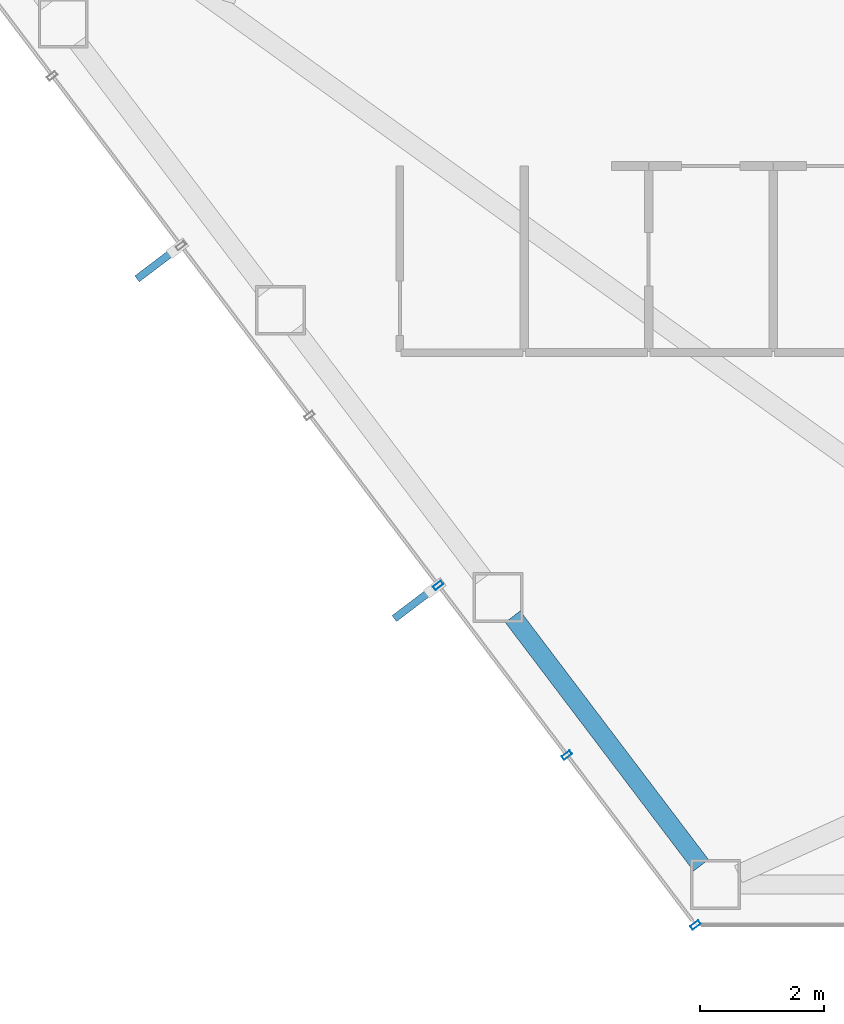
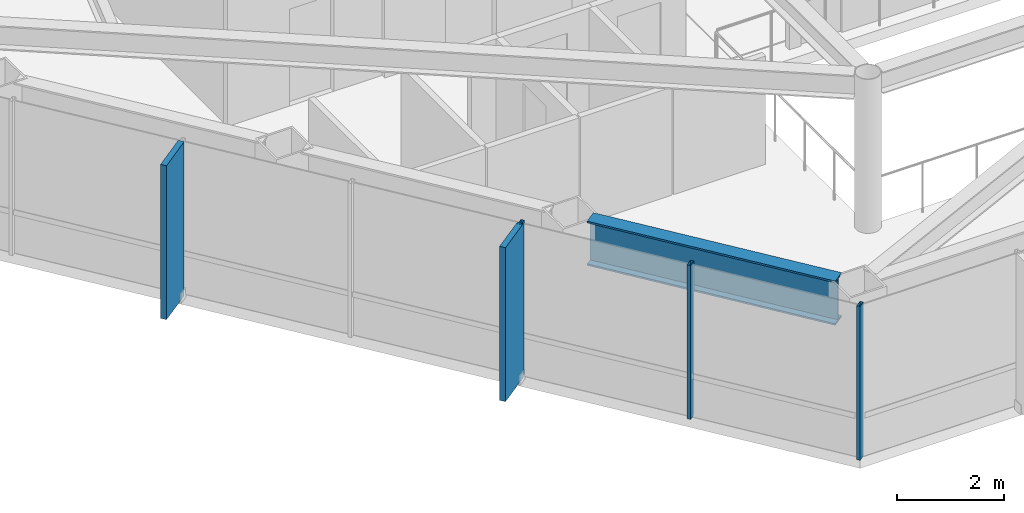
# One storey, part 2 of 29: 5 members, 1 beam, 1 element without a shape of its own.
"""IFC4 building model written with IfcOpenShell, lengths in metres."""

from ifc_helpers import new_model, si_unit, direction, frame, origin, origin_2d, place, context, subcontext, project, spatial, rectangle, hollow_rectangle, i_section, extrude, material, layer, layer_set, material_profile, profile_set, type_object, element, aggregate, save


model = new_model("IFC4")

# Units and contexts
model_context = context("Model", 3, precision=1e-05, world=origin(), true_north=direction((0.0, 1.0)))
body_context = subcontext(model_context, "Body", "Model", "MODEL_VIEW")
ifc_project = project(units=[si_unit("LENGTHUNIT", "METRE"), si_unit("AREAUNIT", "SQUARE_METRE"), si_unit("VOLUMEUNIT", "CUBIC_METRE"), si_unit("PLANEANGLEUNIT", "RADIAN"), si_unit("MASSUNIT", "GRAM", prefix="KILO")], contexts=[model_context])

# Site, building, storey
site_placement = place(None, origin())
site = spatial("IfcSite", under=ifc_project, at=site_placement, CompositionType="ELEMENT")
building_placement = place(site_placement, origin())
building = spatial("IfcBuilding", under=site, at=building_placement, Name="Zarrinselat Tower", CompositionType="ELEMENT")
storey_placement = place(building_placement, frame((0.0, 0.0, 134.639892578125)))
storey = spatial("IfcBuildingStorey", under=building, at=storey_placement, Name="L32", CompositionType="ELEMENT", Elevation=134.639892578125)

# Beam
ifc_material_1 = material(Name="Steel S460M", Category="steel")
ifc_material_profile_1 = material_profile(ifc_material_1, i_section(OverallWidth=0.302001953125, OverallDepth=1.008056640625, WebThickness=0.02099609375, FlangeThickness=0.0400390625, at=origin_2d()), Name="HEM 1000")
ifc_profile_set_1 = profile_set([ifc_material_profile_1], Name="Steel S460M")
beam_type = type_object("IfcBeamType", Name="BM-HEM1000", PredefinedType="BEAM", material=ifc_profile_set_1)
beam_placement = place(storey_placement, frame((26.96337890625, 22.902587890625, 2.99609375), z_axis=(0.603840817035, -0.797104928904, 0.0), x_axis=(0.797104928904, 0.603840817035, 0.0)))
element("IfcBeam", 1, at=beam_placement, inside=storey, type_object=beam_type, Name="L32 Perimeter Spandrel Girder SP09", PredefinedType="BEAM", context=body_context, shape_type="SweptSolid", body=[
    extrude(i_section(OverallWidth=0.302001953125, OverallDepth=1.008056640625, WebThickness=0.02099609375, FlangeThickness=0.0400390625, at=origin_2d()), origin(), (0.0, 0.0, 1.0), 5.01513671875),
])

# Curtain wall, members
ifc_material_2 = material(Name="Extruded Aluminium Alloy EN AW-6063 T6", Category="aluminium")
ifc_layer = layer(ifc_material_2, 0.175048828125)
ifc_layer_set = layer_set([ifc_layer], Name="Extruded Aluminium Alloy EN AW-6063 T6")
curtain_wall_type = type_object("IfcCurtainWallType", Name="CWS-HTL", PredefinedType="NOTDEFINED", material=ifc_layer_set)
curtain_wall_placement = place(storey_placement, origin())
curtain_wall = element("IfcCurtainWall", 2, at=curtain_wall_placement, inside=storey, type_object=curtain_wall_type, Name="L32 Unitised Curtain Wall CW-L32-E03", PredefinedType="NOTDEFINED")
ifc_material_3 = material(Name="Extruded Aluminium Alloy EN AW-6063 T6", Category="aluminium")
ifc_material_profile_2 = material_profile(ifc_material_3, hollow_rectangle(XDim=0.070068359375, YDim=0.159912109375, WallThickness=0.00390625, at=origin_2d()), Name="RHS 160x70x4")
ifc_profile_set_2 = profile_set([ifc_material_profile_2], Name="Extruded Aluminium Alloy EN AW-6063 T6")
member_type_1 = type_object("IfcMemberType", Name="MEM-CW-MUL2", PredefinedType="MULLION", material=ifc_profile_set_2)
member_1_placement = place(storey_placement, frame((25.765869140625, 23.406982421875, 0.0), z_axis=(0.0, 0.0, 1.0), x_axis=(0.603855520216, -0.797093790407, 0.0)))
member_1 = element("IfcMember", 3, at=member_1_placement, type_object=member_type_1, Name="CW-L32-E03 Mullion 5", PredefinedType="MULLION", context=body_context, shape_type="SweptSolid", body=[
    extrude(hollow_rectangle(XDim=0.070068359375, YDim=0.159912109375, WallThickness=0.00390625, at=origin_2d()), origin(), (0.0, 0.0, 1.0), 3.5),
])
member_2_placement = place(storey_placement, frame((27.83447265625, 20.676513671875, 0.0), z_axis=(0.0, 0.0, 1.0), x_axis=(0.603855520216, -0.797093790407, 0.0)))
member_2 = element("IfcMember", 4, at=member_2_placement, type_object=member_type_1, Name="CW-L32-E03 Mullion 6", PredefinedType="MULLION", context=body_context, shape_type="SweptSolid", body=[
    extrude(hollow_rectangle(XDim=0.070068359375, YDim=0.159912109375, WallThickness=0.00390625, at=origin_2d()), origin(), (0.0, 0.0, 1.0), 3.5),
])
member_3_placement = place(storey_placement, frame((29.903076171875, 17.94580078125, 0.0), z_axis=(0.0, 0.0, 1.0), x_axis=(0.603855520216, -0.797093790407, 0.0)))
member_3 = element("IfcMember", 5, at=member_3_placement, type_object=member_type_1, Name="CW-L32-E03 Mullion 7", PredefinedType="MULLION", context=body_context, shape_type="SweptSolid", body=[
    extrude(hollow_rectangle(XDim=0.070068359375, YDim=0.159912109375, WallThickness=0.00390625, at=origin_2d()), origin(), (0.0, 0.0, 1.0), 3.5),
])
ifc_material_4 = material(Name="Honed Cream Travertine Stone", Category="masonry")
ifc_material_profile_3 = material_profile(ifc_material_4, rectangle(XDim=0.1201171875, YDim=0.85009765625, at=origin_2d()), Name="FIN 850x120")
ifc_profile_set_3 = profile_set([ifc_material_profile_3], Name="Honed Cream Travertine Stone")
member_type_2 = type_object("IfcMemberType", Name="MEM-STONE-FIN", PredefinedType="USERDEFINED", material=ifc_profile_set_3)
member_4_placement = place(storey_placement, frame((21.26171875, 28.590576171875, 0.0), z_axis=(0.0, 0.0, 1.0), x_axis=(-0.603855520216, 0.797093790407, 0.0)))
member_4 = element("IfcMember", 6, at=member_4_placement, type_object=member_type_2, Name="L32 Stone Shading Fin CW-L32-E03-03", ObjectType="FIN", PredefinedType="USERDEFINED", context=body_context, shape_type="SweptSolid", body=[
    extrude(rectangle(XDim=0.1201171875, YDim=0.85009765625, at=origin_2d()), origin(), (0.0, 0.0, 1.0), 3.5),
])
member_5_placement = place(storey_placement, frame((25.399169921875, 23.12939453125, 0.0), z_axis=(0.0, 0.0, 1.0), x_axis=(-0.603855520216, 0.797093790407, 0.0)))
member_5 = element("IfcMember", 7, at=member_5_placement, type_object=member_type_2, Name="L32 Stone Shading Fin CW-L32-E03-05", ObjectType="FIN", PredefinedType="USERDEFINED", context=body_context, shape_type="SweptSolid", body=[
    extrude(rectangle(XDim=0.1201171875, YDim=0.85009765625, at=origin_2d()), origin(), (0.0, 0.0, 1.0), 3.5),
])
aggregate(curtain_wall, [member_4, member_1, member_5, member_2, member_3])

save(model, "model.ifc")
